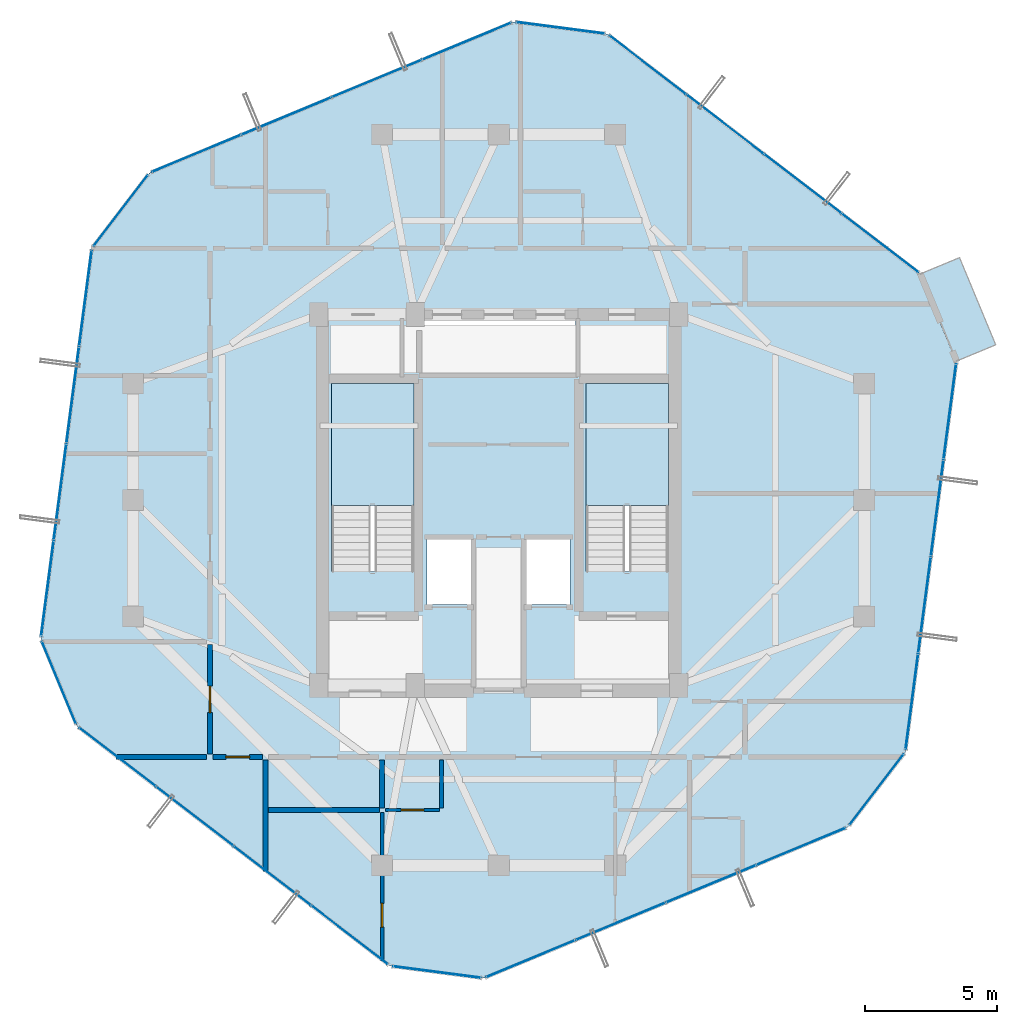
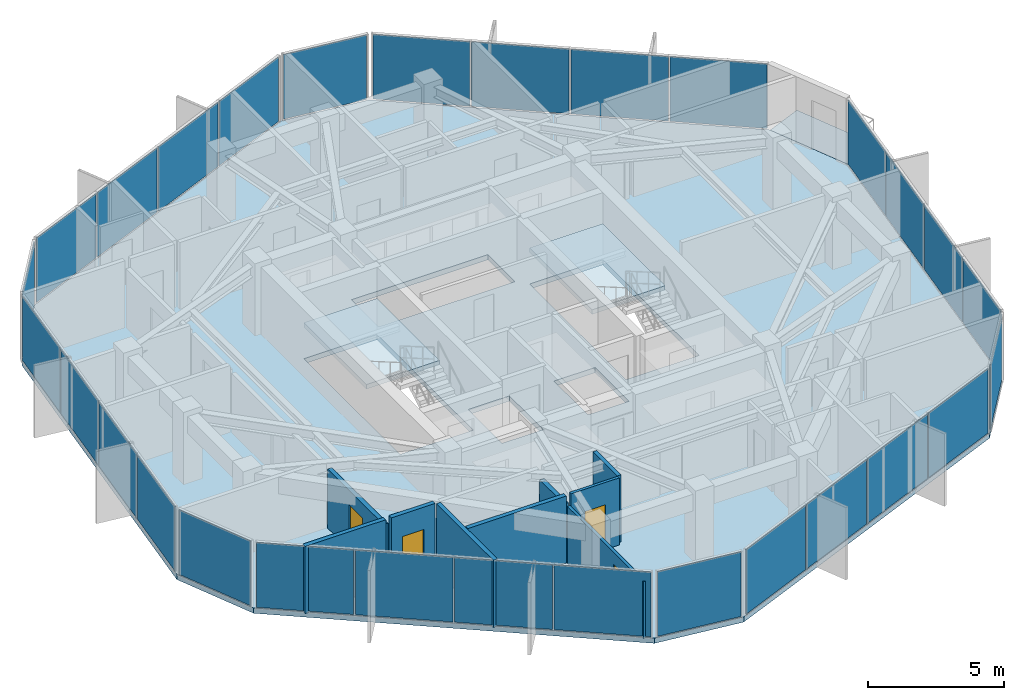
# One storey, part 26 of 31: 29 plates, 9 walls, 4 doors, 4 slabs, 4 openings, 13 elements without a shape of their own.
"""IFC4 building model written with IfcOpenShell, lengths in metres."""

from ifc_helpers import new_model, si_unit, direction, frame, frame_2d, origin, origin_2d, place, context, subcontext, project, spatial, polyline, rectangle, outline, extrude, source, transform, mapped, material, layer, layer_set, type_object, element, fill, aggregate, save


model = new_model("IFC4")

# Units and contexts
model_context = context("Model", 3, precision=1e-05, world=origin(), true_north=direction((0.0, 1.0)))
body_context = subcontext(model_context, "Body", "Model", "MODEL_VIEW")
ifc_project = project(units=[si_unit("LENGTHUNIT", "METRE"), si_unit("AREAUNIT", "SQUARE_METRE"), si_unit("VOLUMEUNIT", "CUBIC_METRE"), si_unit("PLANEANGLEUNIT", "RADIAN"), si_unit("MASSUNIT", "GRAM", prefix="KILO")], contexts=[model_context])

# Site, building, storey
site_placement = place(None, origin())
site = spatial("IfcSite", under=ifc_project, at=site_placement, CompositionType="ELEMENT")
building_placement = place(site_placement, origin())
building = spatial("IfcBuilding", under=site, at=building_placement, Name="Veraguas Prism Commons", CompositionType="ELEMENT")
storey_placement = place(building_placement, frame((0.0, 0.0, 233.300048828125)))
storey = spatial("IfcBuildingStorey", under=building, at=storey_placement, Name="L66", CompositionType="ELEMENT", Elevation=233.300048828125)

# Stair, slab
ifc_material_1 = material(Name="Precast concrete C45/55", Category="concrete")
stair_type = type_object("IfcStairType", Name="Dogleg Core Stair 1480W 20R 05", PredefinedType="HALF_TURN_STAIR", material=ifc_material_1)
stair_1_placement = place(storey_placement, origin())
stair_1 = element("IfcStair", 1, at=stair_1_placement, inside=storey, type_object=stair_type, Name="Protected Exit Stair ST-01 L66", PredefinedType="HALF_TURN_STAIR")
ifc_layer_1 = layer(ifc_material_1, 0.199951171875, Name="Precast Stair and Ramp Landing Slab 200", Category="concrete")
ifc_layer_set_1 = layer_set([ifc_layer_1], Name="Precast concrete C45/55")
slab_type_1 = type_object("IfcSlabType", Name="Precast Stair and Ramp Landing Slab 200", PredefinedType="LANDING", material=ifc_layer_set_1)
slab_1_placement = place(storey_placement, frame((0.0, 0.0, 1.425048828125)))
slab_1 = element("IfcSlab", 2, at=slab_1_placement, type_object=slab_type_1, Name="ST-05 Landing 1", PredefinedType="LANDING", context=body_context, shape_type="SweptSolid", body=[
    extrude(outline(polyline([(20.800048828125, 23.800048828125), (20.800048828125, 28.39990234375), (17.68994140625, 28.39990234375), (17.68994140625, 23.800048828125), (20.800048828125, 23.800048828125)])), origin(), (0.0, 0.0, 1.0), 0.199951171875),
])
aggregate(stair_1, [slab_1])

stair_2_placement = place(storey_placement, origin())
stair_2 = element("IfcStair", 3, at=stair_2_placement, inside=storey, type_object=stair_type, Name="Protected Exit Stair ST-02 L66", PredefinedType="HALF_TURN_STAIR")
slab_2_placement = place(storey_placement, frame((0.0, 0.0, 1.425048828125)))
slab_2 = element("IfcSlab", 4, at=slab_2_placement, type_object=slab_type_1, Name="ST-05 Landing 1", PredefinedType="LANDING", context=body_context, shape_type="SweptSolid", body=[
    extrude(outline(polyline([(30.39990234375, 23.800048828125), (30.39990234375, 28.39990234375), (27.2900390625, 28.39990234375), (27.2900390625, 23.800048828125), (30.39990234375, 23.800048828125)])), origin(), (0.0, 0.0, 1.0), 0.199951171875),
])
aggregate(stair_2, [slab_2])

# Slabs
ifc_material_2 = material(Name="Concrete C45/55", Category="concrete")
ifc_layer_2 = layer(ifc_material_2, 0.219970703125, Name="Recessed Loggia and Terrace Slab RC 220", Category="concrete")
ifc_layer_set_2 = layer_set([ifc_layer_2], Name="Concrete C45/55")
slab_type_2 = type_object("IfcSlabType", Name="Recessed Loggia and Terrace Slab RC 220", PredefinedType="FLOOR", material=ifc_layer_set_2)
slab_3_placement = place(storey_placement, frame((0.0, 0.0, -0.219970703125)))
element("IfcSlab", 5, at=slab_3_placement, inside=storey, type_object=slab_type_2, Name="Recessed Corner Loggia L66-C1", PredefinedType="FLOOR", context=body_context, shape_type="SweptSolid", body=[
    extrude(outline(polyline([(41.26318359375, 29.236083984375), (42.759521484375, 29.857177734375), (41.393798828125, 33.1474609375), (39.8974609375, 32.526611328125), (41.26318359375, 29.236083984375)])), origin(), (0.0, 0.0, 1.0), 0.219970703125),
])
ifc_layer_3 = layer(ifc_material_2, 0.235107421875, Name="Tower Upper Residential Floor Slab RC 235", Category="concrete")
ifc_layer_set_3 = layer_set([ifc_layer_3], Name="Concrete C45/55")
slab_type_3 = type_object("IfcSlabType", Name="Tower Upper Residential Floor Slab RC 235", PredefinedType="FLOOR", material=ifc_layer_set_3)
slab_4_placement = place(storey_placement, frame((0.0, 0.0, -0.235107421875)))
element("IfcSlab", 6, at=slab_4_placement, inside=storey, type_object=slab_type_3, Name="Tower Floor Slab L66", PredefinedType="FLOOR", context=body_context, shape_type="SweptSolid", body=[
    extrude(outline(polyline([(41.281494140625, 29.243896484375), (39.916015625, 32.5341796875), (28.099609375, 41.588134765625), (24.567138671875, 42.05078125), (10.81787109375, 36.344482421875), (8.651123046875, 33.5166015625), (6.718505859375, 18.756103515625), (8.083984375, 15.4658203125), (19.900390625, 6.411865234375), (23.432861328125, 5.94921875), (37.18212890625, 11.655517578125), (39.348876953125, 14.4833984375), (41.281494140625, 29.243896484375)]), holes=[polyline([(20.800048828125, 21.31005859375), (20.800048828125, 28.39990234375), (17.68994140625, 28.39990234375), (17.68994140625, 21.31005859375), (20.800048828125, 21.31005859375)]), polyline([(30.39990234375, 21.31005859375), (30.39990234375, 28.39990234375), (27.2900390625, 28.39990234375), (27.2900390625, 21.31005859375), (30.39990234375, 21.31005859375)]), polyline([(21.10009765625, 28.800048828125), (26.89990234375, 28.800048828125), (26.89990234375, 30.800048828125), (21.10009765625, 30.800048828125), (21.10009765625, 28.800048828125)]), polyline([(21.300048828125, 20.050048828125), (23.050048828125, 20.050048828125), (23.050048828125, 22.550048828125), (21.300048828125, 22.550048828125), (21.300048828125, 20.050048828125)]), polyline([(24.949951171875, 20.050048828125), (26.699951171875, 20.050048828125), (26.699951171875, 22.550048828125), (24.949951171875, 22.550048828125), (24.949951171875, 20.050048828125)])]), origin(), (0.0, 0.0, 1.0), 0.235107421875),
])

# Curtain wall, plates
ifc_material_3 = material(Name="Anodised aluminium EN AW-6063 T6", Category="aluminium")
ifc_layer_4 = layer(ifc_material_3, 0.14990234375, Name="Unitised Flush Curtain Wall Zone 4", Category="aluminium")
ifc_layer_set_4 = layer_set([ifc_layer_4], Name="Anodised aluminium EN AW-6063 T6")
curtain_wall_type = type_object("IfcCurtainWallType", Name="Unitised Flush Curtain Wall Zone 4", PredefinedType="NOTDEFINED", material=ifc_layer_set_4)
curtain_wall_1_placement = place(storey_placement, origin())
curtain_wall_1 = element("IfcCurtainWall", 7, at=curtain_wall_1_placement, inside=storey, type_object=curtain_wall_type, Name="Tower Facade Curtain Wall L66-F1", PredefinedType="NOTDEFINED")
ifc_material_4 = material(Name="Laminated low-e glass", Category="glass")
ifc_layer_5 = layer(ifc_material_4, 0.028076171875, Name="Unitised Double Low-E Glazed Panel 28", Category="glass")
ifc_layer_set_5 = layer_set([ifc_layer_5], Name="Laminated low-e glass")
plate_type = type_object("IfcPlateType", Name="Unitised Double Low-E Glazed Panel 28", PredefinedType="CURTAIN_PANEL", material=ifc_layer_set_5)
shared_shape_1 = source(origin(), body_context, "Body", "SweptSolid", [
    extrude(rectangle(XDim=3.6015625, YDim=0.028076171875, at=origin_2d()), origin(), (0.0, 0.0, 1.0), 2.905029296875),
])
plate_1_placement = place(storey_placement, frame((38.391357421875, 33.702392578125, 0.05517578125), z_axis=(0.0, 0.0, 1.0), x_axis=(-0.793780265613, 0.608204644773, 0.0)))
plate_1 = element("IfcPlate", 8, at=plate_1_placement, type_object=plate_type, Name="CW-Z4 Panel 1.1", PredefinedType="CURTAIN_PANEL", context=body_context, shape_type="MappedRepresentation", body=[
    mapped(shared_shape_1, transform((0.0, 0.0, 0.0), scale=1.0)),
])
plate_2_placement = place(storey_placement, frame((29.624267578125, 40.419921875, 0.05517578125), z_axis=(0.0, 0.0, 1.0), x_axis=(-0.793780265613, 0.608204644773, 0.0)))
plate_2 = element("IfcPlate", 9, at=plate_2_placement, type_object=plate_type, Name="CW-Z4 Panel 4.1", PredefinedType="CURTAIN_PANEL", context=body_context, shape_type="MappedRepresentation", body=[
    mapped(shared_shape_1, transform((0.0, 0.0, 0.0), scale=1.0)),
])

curtain_wall_2_placement = place(storey_placement, origin())
curtain_wall_2 = element("IfcCurtainWall", 10, at=curtain_wall_2_placement, inside=storey, type_object=curtain_wall_type, Name="Tower Facade Curtain Wall L66-F2", PredefinedType="NOTDEFINED")
plate_3_placement = place(storey_placement, frame((22.793212890625, 41.314453125, 0.05517578125), z_axis=(0.0, 0.0, 1.0), x_axis=(-0.923614820068, -0.383321880606, 0.0)))
plate_3 = element("IfcPlate", 11, at=plate_3_placement, type_object=plate_type, Name="CW-Z4 Panel 1.1", PredefinedType="CURTAIN_PANEL", context=body_context, shape_type="MappedRepresentation", body=[
    mapped(shared_shape_1, transform((0.0, 0.0, 0.0), scale=1.0)),
])
plate_4_placement = place(storey_placement, frame((12.592041015625, 37.08056640625, 0.05517578125), z_axis=(0.0, 0.0, 1.0), x_axis=(-0.923614820068, -0.383321880606, 0.0)))
plate_4 = element("IfcPlate", 12, at=plate_4_placement, type_object=plate_type, Name="CW-Z4 Panel 4.1", PredefinedType="CURTAIN_PANEL", context=body_context, shape_type="MappedRepresentation", body=[
    mapped(shared_shape_1, transform((0.0, 0.0, 0.0), scale=1.0)),
])

curtain_wall_3_placement = place(storey_placement, origin())
curtain_wall_3 = element("IfcCurtainWall", 13, at=curtain_wall_3_placement, inside=storey, type_object=curtain_wall_type, Name="Tower Facade Curtain Wall L66-F3", PredefinedType="NOTDEFINED")
plate_5_placement = place(storey_placement, frame((8.40185546875, 31.612060546875, 0.05517578125), z_axis=(0.0, 0.0, 1.0), x_axis=(-0.129835731937, -0.991535517625, 0.0)))
plate_5 = element("IfcPlate", 14, at=plate_5_placement, type_object=plate_type, Name="CW-Z4 Panel 1.1", PredefinedType="CURTAIN_PANEL", context=body_context, shape_type="MappedRepresentation", body=[
    mapped(shared_shape_1, transform((0.0, 0.0, 0.0), scale=1.0)),
])
plate_6_placement = place(storey_placement, frame((6.9677734375, 20.66064453125, 0.05517578125), z_axis=(0.0, 0.0, 1.0), x_axis=(-0.129835731937, -0.991535517625, 0.0)))
plate_6 = element("IfcPlate", 15, at=plate_6_placement, type_object=plate_type, Name="CW-Z4 Panel 4.1", PredefinedType="CURTAIN_PANEL", context=body_context, shape_type="MappedRepresentation", body=[
    mapped(shared_shape_1, transform((0.0, 0.0, 0.0), scale=1.0)),
])

curtain_wall_4_placement = place(storey_placement, origin())
curtain_wall_4 = element("IfcCurtainWall", 16, at=curtain_wall_4_placement, inside=storey, type_object=curtain_wall_type, Name="Tower Facade Curtain Wall L66-F4", PredefinedType="NOTDEFINED")
plate_7_placement = place(storey_placement, frame((9.608642578125, 14.297607421875, 0.05517578125), z_axis=(0.0, 0.0, 1.0), x_axis=(0.793780265613, -0.608204644773, 0.0)))
plate_7 = element("IfcPlate", 17, at=plate_7_placement, type_object=plate_type, Name="CW-Z4 Panel 1.1", PredefinedType="CURTAIN_PANEL", context=body_context, shape_type="MappedRepresentation", body=[
    mapped(shared_shape_1, transform((0.0, 0.0, 0.0), scale=1.0)),
])
plate_8_placement = place(storey_placement, frame((18.375732421875, 7.580078125, 0.05517578125), z_axis=(0.0, 0.0, 1.0), x_axis=(0.793780265613, -0.608204644773, 0.0)))
plate_8 = element("IfcPlate", 18, at=plate_8_placement, type_object=plate_type, Name="CW-Z4 Panel 4.1", PredefinedType="CURTAIN_PANEL", context=body_context, shape_type="MappedRepresentation", body=[
    mapped(shared_shape_1, transform((0.0, 0.0, 0.0), scale=1.0)),
])

curtain_wall_5_placement = place(storey_placement, origin())
curtain_wall_5 = element("IfcCurtainWall", 19, at=curtain_wall_5_placement, inside=storey, type_object=curtain_wall_type, Name="Tower Facade Curtain Wall L66-F5", PredefinedType="NOTDEFINED")
plate_9_placement = place(storey_placement, frame((25.206787109375, 6.685546875, 0.05517578125), z_axis=(0.0, 0.0, 1.0), x_axis=(0.923614820068, 0.383321880606, 0.0)))
plate_9 = element("IfcPlate", 20, at=plate_9_placement, type_object=plate_type, Name="CW-Z4 Panel 1.1", PredefinedType="CURTAIN_PANEL", context=body_context, shape_type="MappedRepresentation", body=[
    mapped(shared_shape_1, transform((0.0, 0.0, 0.0), scale=1.0)),
])
plate_10_placement = place(storey_placement, frame((35.407958984375, 10.91943359375, 0.05517578125), z_axis=(0.0, 0.0, 1.0), x_axis=(0.923614820068, 0.383321880606, 0.0)))
plate_10 = element("IfcPlate", 21, at=plate_10_placement, type_object=plate_type, Name="CW-Z4 Panel 4.1", PredefinedType="CURTAIN_PANEL", context=body_context, shape_type="MappedRepresentation", body=[
    mapped(shared_shape_1, transform((0.0, 0.0, 0.0), scale=1.0)),
])

curtain_wall_6_placement = place(storey_placement, origin())
curtain_wall_6 = element("IfcCurtainWall", 22, at=curtain_wall_6_placement, inside=storey, type_object=curtain_wall_type, Name="Tower Facade Curtain Wall L66-F6", PredefinedType="NOTDEFINED")
plate_11_placement = place(storey_placement, frame((39.59814453125, 16.387939453125, 0.05517578125), z_axis=(0.0, 0.0, 1.0), x_axis=(0.129835731937, 0.991535517625, 0.0)))
plate_11 = element("IfcPlate", 23, at=plate_11_placement, type_object=plate_type, Name="CW-Z4 Panel 1.1", PredefinedType="CURTAIN_PANEL", context=body_context, shape_type="MappedRepresentation", body=[
    mapped(shared_shape_1, transform((0.0, 0.0, 0.0), scale=1.0)),
])
plate_12_placement = place(storey_placement, frame((41.0322265625, 27.33935546875, 0.05517578125), z_axis=(0.0, 0.0, 1.0), x_axis=(0.129835731937, 0.991535517625, 0.0)))
plate_12 = element("IfcPlate", 24, at=plate_12_placement, type_object=plate_type, Name="CW-Z4 Panel 4.1", PredefinedType="CURTAIN_PANEL", context=body_context, shape_type="MappedRepresentation", body=[
    mapped(shared_shape_1, transform((0.0, 0.0, 0.0), scale=1.0)),
])

# Plate
shared_shape_2 = source(origin(), body_context, "Body", "SweptSolid", [
    extrude(rectangle(XDim=3.631591796875, YDim=0.028076171875, at=origin_2d()), origin(), (0.0, 0.0, 1.0), 2.905029296875),
])
plate_13_placement = place(storey_placement, frame((35.472900390625, 35.9384765625, 0.05517578125), z_axis=(0.0, 0.0, 1.0), x_axis=(-0.793780265613, 0.608204644773, 0.0)))
plate_13 = element("IfcPlate", 25, at=plate_13_placement, type_object=plate_type, Name="CW-Z4 Panel 2.1", PredefinedType="CURTAIN_PANEL", context=body_context, shape_type="MappedRepresentation", body=[
    mapped(shared_shape_2, transform((0.0, 0.0, 0.0), scale=1.0)),
])

plate_14_placement = place(storey_placement, frame((32.54248046875, 38.183837890625, 0.05517578125), z_axis=(0.0, 0.0, 1.0), x_axis=(-0.793780265613, 0.608204644773, 0.0)))
plate_14 = element("IfcPlate", 26, at=plate_14_placement, type_object=plate_type, Name="CW-Z4 Panel 3.1", PredefinedType="CURTAIN_PANEL", context=body_context, shape_type="MappedRepresentation", body=[
    mapped(shared_shape_2, transform((0.0, 0.0, 0.0), scale=1.0)),
])

aggregate(curtain_wall_1, [plate_1, plate_13, plate_14, plate_2])

plate_15_placement = place(storey_placement, frame((19.3974609375, 39.905029296875, 0.05517578125), z_axis=(0.0, 0.0, 1.0), x_axis=(-0.923614820068, -0.383321880606, 0.0)))
plate_15 = element("IfcPlate", 27, at=plate_15_placement, type_object=plate_type, Name="CW-Z4 Panel 2.1", PredefinedType="CURTAIN_PANEL", context=body_context, shape_type="MappedRepresentation", body=[
    mapped(shared_shape_2, transform((0.0, 0.0, 0.0), scale=1.0)),
])

plate_16_placement = place(storey_placement, frame((15.98779296875, 38.489990234375, 0.05517578125), z_axis=(0.0, 0.0, 1.0), x_axis=(-0.923614820068, -0.383321880606, 0.0)))
plate_16 = element("IfcPlate", 28, at=plate_16_placement, type_object=plate_type, Name="CW-Z4 Panel 3.1", PredefinedType="CURTAIN_PANEL", context=body_context, shape_type="MappedRepresentation", body=[
    mapped(shared_shape_2, transform((0.0, 0.0, 0.0), scale=1.0)),
])

aggregate(curtain_wall_2, [plate_3, plate_15, plate_16, plate_4])

plate_17_placement = place(storey_placement, frame((7.924560546875, 27.966552734375, 0.05517578125), z_axis=(0.0, 0.0, 1.0), x_axis=(-0.129835731937, -0.991535517625, 0.0)))
plate_17 = element("IfcPlate", 29, at=plate_17_placement, type_object=plate_type, Name="CW-Z4 Panel 2.1", PredefinedType="CURTAIN_PANEL", context=body_context, shape_type="MappedRepresentation", body=[
    mapped(shared_shape_2, transform((0.0, 0.0, 0.0), scale=1.0)),
])

plate_18_placement = place(storey_placement, frame((7.445068359375, 24.30615234375, 0.05517578125), z_axis=(0.0, 0.0, 1.0), x_axis=(-0.129835731937, -0.991535517625, 0.0)))
plate_18 = element("IfcPlate", 30, at=plate_18_placement, type_object=plate_type, Name="CW-Z4 Panel 3.1", PredefinedType="CURTAIN_PANEL", context=body_context, shape_type="MappedRepresentation", body=[
    mapped(shared_shape_2, transform((0.0, 0.0, 0.0), scale=1.0)),
])

aggregate(curtain_wall_3, [plate_5, plate_17, plate_18, plate_6])

plate_19_placement = place(storey_placement, frame((12.527099609375, 12.0615234375, 0.05517578125), z_axis=(0.0, 0.0, 1.0), x_axis=(0.793780265613, -0.608204644773, 0.0)))
plate_19 = element("IfcPlate", 31, at=plate_19_placement, type_object=plate_type, Name="CW-Z4 Panel 2.1", PredefinedType="CURTAIN_PANEL", context=body_context, shape_type="MappedRepresentation", body=[
    mapped(shared_shape_2, transform((0.0, 0.0, 0.0), scale=1.0)),
])

plate_20_placement = place(storey_placement, frame((15.45751953125, 9.816162109375, 0.05517578125), z_axis=(0.0, 0.0, 1.0), x_axis=(0.793780265613, -0.608204644773, 0.0)))
plate_20 = element("IfcPlate", 32, at=plate_20_placement, type_object=plate_type, Name="CW-Z4 Panel 3.1", PredefinedType="CURTAIN_PANEL", context=body_context, shape_type="MappedRepresentation", body=[
    mapped(shared_shape_2, transform((0.0, 0.0, 0.0), scale=1.0)),
])

aggregate(curtain_wall_4, [plate_7, plate_19, plate_20, plate_8])

plate_21_placement = place(storey_placement, frame((28.6025390625, 8.094970703125, 0.05517578125), z_axis=(0.0, 0.0, 1.0), x_axis=(0.923614820068, 0.383321880606, 0.0)))
plate_21 = element("IfcPlate", 33, at=plate_21_placement, type_object=plate_type, Name="CW-Z4 Panel 2.1", PredefinedType="CURTAIN_PANEL", context=body_context, shape_type="MappedRepresentation", body=[
    mapped(shared_shape_2, transform((0.0, 0.0, 0.0), scale=1.0)),
])

plate_22_placement = place(storey_placement, frame((32.01220703125, 9.510009765625, 0.05517578125), z_axis=(0.0, 0.0, 1.0), x_axis=(0.923614820068, 0.383321880606, 0.0)))
plate_22 = element("IfcPlate", 34, at=plate_22_placement, type_object=plate_type, Name="CW-Z4 Panel 3.1", PredefinedType="CURTAIN_PANEL", context=body_context, shape_type="MappedRepresentation", body=[
    mapped(shared_shape_2, transform((0.0, 0.0, 0.0), scale=1.0)),
])

aggregate(curtain_wall_5, [plate_9, plate_21, plate_22, plate_10])

plate_23_placement = place(storey_placement, frame((40.075439453125, 20.033447265625, 0.05517578125), z_axis=(0.0, 0.0, 1.0), x_axis=(0.129835731937, 0.991535517625, 0.0)))
plate_23 = element("IfcPlate", 35, at=plate_23_placement, type_object=plate_type, Name="CW-Z4 Panel 2.1", PredefinedType="CURTAIN_PANEL", context=body_context, shape_type="MappedRepresentation", body=[
    mapped(shared_shape_2, transform((0.0, 0.0, 0.0), scale=1.0)),
])

plate_24_placement = place(storey_placement, frame((40.554931640625, 23.69384765625, 0.05517578125), z_axis=(0.0, 0.0, 1.0), x_axis=(0.129835731937, 0.991535517625, 0.0)))
plate_24 = element("IfcPlate", 36, at=plate_24_placement, type_object=plate_type, Name="CW-Z4 Panel 3.1", PredefinedType="CURTAIN_PANEL", context=body_context, shape_type="MappedRepresentation", body=[
    mapped(shared_shape_2, transform((0.0, 0.0, 0.0), scale=1.0)),
])

aggregate(curtain_wall_6, [plate_11, plate_23, plate_24, plate_12])

# Curtain wall, plate
curtain_wall_7_placement = place(storey_placement, origin())
curtain_wall_7 = element("IfcCurtainWall", 37, at=curtain_wall_7_placement, inside=storey, type_object=curtain_wall_type, Name="Chamfer Curtain Wall L66-C2", PredefinedType="NOTDEFINED")
shared_shape_3 = source(origin(), body_context, "Body", "SweptSolid", [
    extrude(rectangle(XDim=3.322509765625, YDim=0.028076171875, at=origin_2d()), origin(), (0.0, 0.0, 1.0), 2.905029296875),
])
plate_25_placement = place(storey_placement, frame((26.333251953125, 41.8193359375, 0.05517578125), z_axis=(0.0, 0.0, 1.0), x_axis=(-0.991537556958, 0.129820156917, 0.0)))
plate_25 = element("IfcPlate", 38, at=plate_25_placement, type_object=plate_type, Name="CW-Z4 Panel 1.1", PredefinedType="CURTAIN_PANEL", context=body_context, shape_type="MappedRepresentation", body=[
    mapped(shared_shape_3, transform((0.0, 0.0, 0.0), scale=1.0)),
])
aggregate(curtain_wall_7, [plate_25])

curtain_wall_8_placement = place(storey_placement, origin())
curtain_wall_8 = element("IfcCurtainWall", 39, at=curtain_wall_8_placement, inside=storey, type_object=curtain_wall_type, Name="Chamfer Curtain Wall L66-C3", PredefinedType="NOTDEFINED")
plate_26_placement = place(storey_placement, frame((9.734619140625, 34.930419921875, 0.05517578125), z_axis=(0.0, 0.0, 1.0), x_axis=(-0.608181092571, -0.793798311058, 0.0)))
plate_26 = element("IfcPlate", 40, at=plate_26_placement, type_object=plate_type, Name="CW-Z4 Panel 1.1", PredefinedType="CURTAIN_PANEL", context=body_context, shape_type="MappedRepresentation", body=[
    mapped(shared_shape_3, transform((0.0, 0.0, 0.0), scale=1.0)),
])
aggregate(curtain_wall_8, [plate_26])

curtain_wall_9_placement = place(storey_placement, origin())
curtain_wall_9 = element("IfcCurtainWall", 41, at=curtain_wall_9_placement, inside=storey, type_object=curtain_wall_type, Name="Chamfer Curtain Wall L66-C4", PredefinedType="NOTDEFINED")
plate_27_placement = place(storey_placement, frame((7.401123046875, 17.111083984375, 0.05517578125), z_axis=(0.0, 0.0, 1.0), x_axis=(0.383320268593, -0.923615489089, 0.0)))
plate_27 = element("IfcPlate", 42, at=plate_27_placement, type_object=plate_type, Name="CW-Z4 Panel 1.1", PredefinedType="CURTAIN_PANEL", context=body_context, shape_type="MappedRepresentation", body=[
    mapped(shared_shape_3, transform((0.0, 0.0, 0.0), scale=1.0)),
])
aggregate(curtain_wall_9, [plate_27])

curtain_wall_10_placement = place(storey_placement, origin())
curtain_wall_10 = element("IfcCurtainWall", 43, at=curtain_wall_10_placement, inside=storey, type_object=curtain_wall_type, Name="Chamfer Curtain Wall L66-C5", PredefinedType="NOTDEFINED")
plate_28_placement = place(storey_placement, frame((21.666748046875, 6.1806640625, 0.05517578125), z_axis=(0.0, 0.0, 1.0), x_axis=(0.991537556958, -0.129820156917, 0.0)))
plate_28 = element("IfcPlate", 44, at=plate_28_placement, type_object=plate_type, Name="CW-Z4 Panel 1.1", PredefinedType="CURTAIN_PANEL", context=body_context, shape_type="MappedRepresentation", body=[
    mapped(shared_shape_3, transform((0.0, 0.0, 0.0), scale=1.0)),
])
aggregate(curtain_wall_10, [plate_28])

curtain_wall_11_placement = place(storey_placement, origin())
curtain_wall_11 = element("IfcCurtainWall", 45, at=curtain_wall_11_placement, inside=storey, type_object=curtain_wall_type, Name="Chamfer Curtain Wall L66-C6", PredefinedType="NOTDEFINED")
plate_29_placement = place(storey_placement, frame((38.265380859375, 13.069580078125, 0.05517578125), z_axis=(0.0, 0.0, 1.0), x_axis=(0.608181092571, 0.793798311058, 0.0)))
plate_29 = element("IfcPlate", 46, at=plate_29_placement, type_object=plate_type, Name="CW-Z4 Panel 1.1", PredefinedType="CURTAIN_PANEL", context=body_context, shape_type="MappedRepresentation", body=[
    mapped(shared_shape_3, transform((0.0, 0.0, 0.0), scale=1.0)),
])
aggregate(curtain_wall_11, [plate_29])

# Walls
ifc_material_5 = material(Name="Autoclaved aerated masonry block 10 MPa", Category="masonry")
ifc_layer_6 = layer(ifc_material_5, 0.179931640625, Name="Corridor and Inter-Tenancy Partition 180", Category="masonry")
ifc_layer_set_6 = layer_set([ifc_layer_6], Name="Autoclaved aerated masonry block 10 MPa")
wall_type_1 = type_object("IfcWallType", Name="Corridor and Inter-Tenancy Partition 180", PredefinedType="PARTITIONING", material=ifc_layer_set_6)
wall_1_placement = place(storey_placement, frame((15.199951171875, 14.179931640625, 0.0), z_axis=(0.0, 0.0, 1.0), x_axis=(0.0, -1.0, 0.0)))
element("IfcWall", 47, at=wall_1_placement, inside=storey, type_object=wall_type_1, Name="WL-L66-PT001", PredefinedType="PARTITIONING", context=body_context, shape_type="SweptSolid", body=[
    extrude(rectangle(XDim=4.204345703125, YDim=0.179931640625, at=frame_2d((2.10205078125, 0.0))), origin(), (0.0, 0.0, 1.0), 3.014892578125),
])
wall_2_placement = place(storey_placement, frame((15.320068359375, 12.300048828125, 0.0), z_axis=(0.0, 0.0, 1.0), x_axis=(1.0, 0.0, 0.0)))
element("IfcWall", 48, at=wall_2_placement, inside=storey, type_object=wall_type_1, Name="WL-L66-PT005", PredefinedType="PARTITIONING", context=body_context, shape_type="SweptSolid", body=[
    extrude(rectangle(XDim=4.179931640625, YDim=0.179931640625, at=frame_2d((2.08984375, 0.0))), origin(), (0.0, 0.0, 1.0), 3.014892578125),
])
wall_3_placement = place(storey_placement, frame((19.60009765625, 14.179931640625, 0.0), z_axis=(0.0, 0.0, 1.0), x_axis=(0.0, -1.0, 0.0)))
element("IfcWall", 49, at=wall_3_placement, inside=storey, type_object=wall_type_1, Name="WL-L66-PT006", PredefinedType="PARTITIONING", context=body_context, shape_type="SweptSolid", body=[
    extrude(rectangle(XDim=1.800048828125, YDim=0.179931640625, at=frame_2d((0.89990234375, 0.0))), origin(), (0.0, 0.0, 1.0), 2.54296875),
])
wall_4_placement = place(storey_placement, frame((12.97998046875, 14.300048828125, 0.0), z_axis=(0.0, 0.0, 1.0), x_axis=(-1.0, 0.0, 0.0)))
element("IfcWall", 50, at=wall_4_placement, inside=storey, type_object=wall_type_1, Name="WL-L66-PT024", PredefinedType="PARTITIONING", context=body_context, shape_type="SweptSolid", body=[
    extrude(rectangle(XDim=3.423828125, YDim=0.179931640625, at=frame_2d((1.7119140625, 0.0))), origin(), (0.0, 0.0, 1.0), 3.014892578125),
])

# Wall, opening, door
wall_5_placement = place(storey_placement, frame((13.10009765625, 14.409912109375, 0.0), z_axis=(0.0, 0.0, 1.0), x_axis=(0.0, 1.0, 0.0)))
wall_5 = element("IfcWall", 51, at=wall_5_placement, inside=storey, type_object=wall_type_1, Name="WL-L66-PT026", PredefinedType="PARTITIONING", context=body_context, shape_type="SweptSolid", body=[
    extrude(rectangle(XDim=4.129150390625, YDim=0.179931640625, at=frame_2d((2.064453125, 0.0))), origin(), (0.0, 0.0, 1.0), 2.661865234375),
])
opening_1_placement = place(wall_5_placement, frame((1.564453125, 0.0, 0.0)))
opening_1 = element("IfcOpeningElement", 52, at=opening_1_placement, cuts=wall_5, Name="Opening DR-13", PredefinedType="OPENING", context=body_context, shape_type="SweptSolid", body=[
    extrude(rectangle(XDim=1.0, YDim=2.010009765625, at=frame_2d((0.5, 1.0048828125))), frame((0.0, 0.099853515625, 0.0), z_axis=(0.0, -1.0, 0.0), x_axis=(1.0, 0.0, 0.0)), (0.0, 0.0, 1.0), 0.199951171875),
])
ifc_material_6 = material(Name="Steel fire-rated door assembly", Category="steel")
door_type_1 = type_object("IfcDoorType", Name="Core Accessible WC and Clinic Fire Door 1000x2010", OperationType="NOTDEFINED", PredefinedType="DOOR", material=ifc_material_6)
shared_shape_4 = source(origin(), body_context, "Body", "SweptSolid", [
    extrude(rectangle(XDim=1.0, YDim=2.010009765625, at=frame_2d((0.5, 1.0048828125))), frame((0.0, 0.02490234375, 0.0), z_axis=(0.0, -1.0, 0.0), x_axis=(1.0, 0.0, 0.0)), (0.0, 0.0, 1.0), 0.050048828125),
])
door_1_placement = place(opening_1_placement, origin())
door_1 = element("IfcDoor", 53, at=door_1_placement, inside=storey, type_object=door_type_1, Name="Residents Study Room Door", OperationType="SINGLE_SWING_RIGHT", OverallHeight=2.010009765625, OverallWidth=1.0, PredefinedType="DOOR", context=body_context, shape_type="MappedRepresentation", body=[
    mapped(shared_shape_4, transform((0.0, 0.0, 0.0), scale=1.0)),
])
fill(opening_1, door_1)

wall_6_placement = place(storey_placement, frame((13.219970703125, 14.300048828125, 0.0), z_axis=(0.0, 0.0, 1.0), x_axis=(1.0, 0.0, 0.0)))
wall_6 = element("IfcWall", 54, at=wall_6_placement, inside=storey, type_object=wall_type_1, Name="WL-L66-PT040", PredefinedType="PARTITIONING", context=body_context, shape_type="SweptSolid", body=[
    extrude(rectangle(XDim=1.860107421875, YDim=0.179931640625, at=frame_2d((0.93017578125, 0.0))), origin(), (0.0, 0.0, 1.0), 3.014892578125),
])
opening_2_placement = place(wall_6_placement, frame((0.47998046875, 0.0, 0.0)))
opening_2 = element("IfcOpeningElement", 55, at=opening_2_placement, cuts=wall_6, Name="Opening DR-14", PredefinedType="OPENING", context=body_context, shape_type="SweptSolid", body=[
    extrude(rectangle(XDim=0.89990234375, YDim=2.010009765625, at=frame_2d((0.449951171875, 1.0048828125))), frame((0.0, 0.099853515625, 0.0), z_axis=(0.0, -1.0, 0.0), x_axis=(1.0, 0.0, 0.0)), (0.0, 0.0, 1.0), 0.199951171875),
])
door_type_2 = type_object("IfcDoorType", Name="Core Service Room Fire Door 900x2010", OperationType="NOTDEFINED", PredefinedType="DOOR", material=ifc_material_6)
shared_shape_5 = source(origin(), body_context, "Body", "SweptSolid", [
    extrude(rectangle(XDim=0.89990234375, YDim=2.010009765625, at=frame_2d((0.449951171875, 1.0048828125))), frame((0.0, 0.02490234375, 0.0), z_axis=(0.0, -1.0, 0.0), x_axis=(1.0, 0.0, 0.0)), (0.0, 0.0, 1.0), 0.050048828125),
])
door_2_placement = place(opening_2_placement, origin())
door_2 = element("IfcDoor", 56, at=door_2_placement, inside=storey, type_object=door_type_2, Name="Residents Study Room SW Door", OperationType="SINGLE_SWING_RIGHT", OverallHeight=2.010009765625, OverallWidth=0.89990234375, PredefinedType="DOOR", context=body_context, shape_type="MappedRepresentation", body=[
    mapped(shared_shape_5, transform((0.0, 0.0, 0.0), scale=1.0)),
])
fill(opening_2, door_2)

ifc_material_7 = material(Name="Lightweight acoustic gypsum board")
ifc_layer_7 = layer(ifc_material_7, 0.125, Name="Internal Apartment Room Partition 125")
ifc_layer_set_7 = layer_set([ifc_layer_7], Name="Lightweight acoustic gypsum board")
wall_type_2 = type_object("IfcWallType", Name="Internal Apartment Room Partition 125", PredefinedType="PARTITIONING", material=ifc_layer_set_7)
wall_7_placement = place(storey_placement, frame((19.60009765625, 12.199951171875, 0.0), z_axis=(0.0, 0.0, 1.0), x_axis=(0.0, -1.0, 0.0)))
wall_7 = element("IfcWall", 57, at=wall_7_placement, inside=storey, type_object=wall_type_2, Name="WL-L66-PT007", PredefinedType="PARTITIONING", context=body_context, shape_type="SweptSolid", body=[
    extrude(rectangle(XDim=5.595703125, YDim=0.125, at=frame_2d((2.7978515625, 0.0))), origin(), (0.0, 0.0, 1.0), 2.54296875),
])
opening_3_placement = place(wall_7_placement, frame((3.421875, 0.0, 0.0)))
opening_3 = element("IfcOpeningElement", 58, at=opening_3_placement, cuts=wall_7, Name="Opening DR-02", PredefinedType="OPENING", context=body_context, shape_type="SweptSolid", body=[
    extrude(rectangle(XDim=0.89990234375, YDim=2.010009765625, at=frame_2d((0.449951171875, 1.0048828125))), frame((0.0, 0.072509765625, 0.0), z_axis=(0.0, -1.0, 0.0), x_axis=(1.0, 0.0, 0.0)), (0.0, 0.0, 1.0), 0.14501953125),
])
ifc_material_8 = material(Name="Timber solid core hardwood", Category="wood")
door_type_3 = type_object("IfcDoorType", Name="Internal Habitable Room Door 900x2010", OperationType="NOTDEFINED", PredefinedType="DOOR", material=ifc_material_8)
door_3_placement = place(opening_3_placement, origin())
door_3 = element("IfcDoor", 59, at=door_3_placement, inside=storey, type_object=door_type_3, Name="Flat 66A Bedroom 2 Door", OperationType="SINGLE_SWING_LEFT", OverallHeight=2.010009765625, OverallWidth=0.89990234375, PredefinedType="DOOR", context=body_context, shape_type="MappedRepresentation", body=[
    mapped(shared_shape_5, transform((0.0, 0.0, 0.0), scale=1.0)),
])
fill(opening_3, door_3)

wall_8_placement = place(storey_placement, frame((19.719970703125, 12.300048828125, 0.0), z_axis=(0.0, 0.0, 1.0), x_axis=(1.0, 0.0, 0.0)))
wall_8 = element("IfcWall", 60, at=wall_8_placement, inside=storey, type_object=wall_type_2, Name="WL-L66-PT009", PredefinedType="PARTITIONING", context=body_context, shape_type="SweptSolid", body=[
    extrude(rectangle(XDim=2.050048828125, YDim=0.125, at=frame_2d((1.02490234375, 0.0))), origin(), (0.0, 0.0, 1.0), 3.014892578125),
])
opening_4_placement = place(wall_8_placement, frame((0.594970703125, 0.0, 0.0)))
opening_4 = element("IfcOpeningElement", 61, at=opening_4_placement, cuts=wall_8, Name="Opening DR-03", PredefinedType="OPENING", context=body_context, shape_type="SweptSolid", body=[
    extrude(rectangle(XDim=0.860107421875, YDim=2.010009765625, at=frame_2d((0.43017578125, 1.0048828125))), frame((0.0, 0.072509765625, 0.0), z_axis=(0.0, -1.0, 0.0), x_axis=(1.0, 0.0, 0.0)), (0.0, 0.0, 1.0), 0.14501953125),
])
ifc_material_9 = material(Name="Timber moisture-resistant leaf", Category="wood")
door_type_4 = type_object("IfcDoorType", Name="Internal Bathroom Door 860x2010", OperationType="NOTDEFINED", PredefinedType="DOOR", material=ifc_material_9)
shared_shape_6 = source(origin(), body_context, "Body", "SweptSolid", [
    extrude(rectangle(XDim=0.860107421875, YDim=2.010009765625, at=frame_2d((0.43017578125, 1.0048828125))), frame((0.0, 0.02490234375, 0.0), z_axis=(0.0, -1.0, 0.0), x_axis=(1.0, 0.0, 0.0)), (0.0, 0.0, 1.0), 0.050048828125),
])
door_4_placement = place(opening_4_placement, origin())
door_4 = element("IfcDoor", 62, at=door_4_placement, inside=storey, type_object=door_type_4, Name="Flat 66A Bathroom Door", OperationType="SINGLE_SWING_RIGHT", OverallHeight=2.010009765625, OverallWidth=0.860107421875, PredefinedType="DOOR", context=body_context, shape_type="MappedRepresentation", body=[
    mapped(shared_shape_6, transform((0.0, 0.0, 0.0), scale=1.0)),
])
fill(opening_4, door_4)

# Wall
ifc_layer_8 = layer(ifc_material_7, 0.14990234375, Name="Wet Room and Clinic Acoustic Partition 150")
ifc_layer_set_8 = layer_set([ifc_layer_8], Name="Lightweight acoustic gypsum board")
wall_type_3 = type_object("IfcWallType", Name="Wet Room and Clinic Acoustic Partition 150", PredefinedType="PARTITIONING", material=ifc_layer_set_8)
wall_9_placement = place(storey_placement, frame((21.85009765625, 14.179931640625, 0.0), z_axis=(0.0, 0.0, 1.0), x_axis=(0.0, -1.0, 0.0)))
element("IfcWall", 63, at=wall_9_placement, inside=storey, type_object=wall_type_3, Name="WL-L66-PT008", PredefinedType="PARTITIONING", context=body_context, shape_type="SweptSolid", body=[
    extrude(rectangle(XDim=1.800048828125, YDim=0.14990234375, at=frame_2d((0.89990234375, 0.0))), origin(), (0.0, 0.0, 1.0), 3.014892578125),
])

save(model, "model.ifc")
